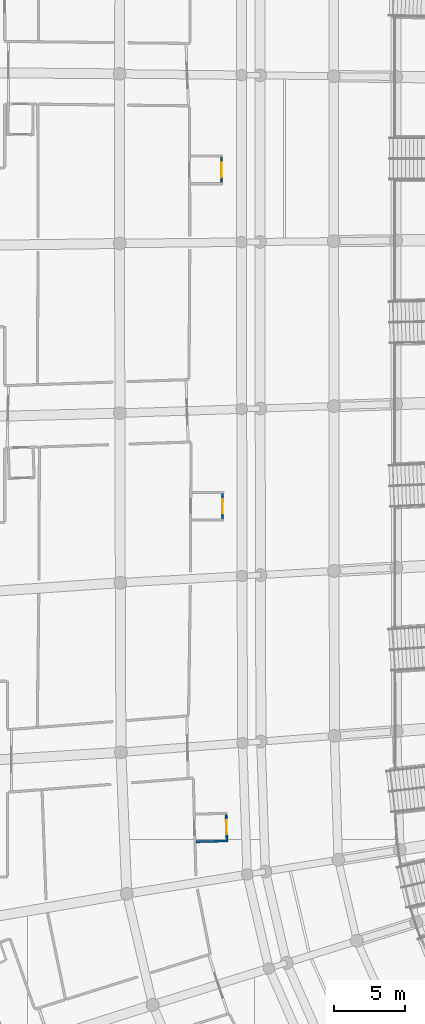
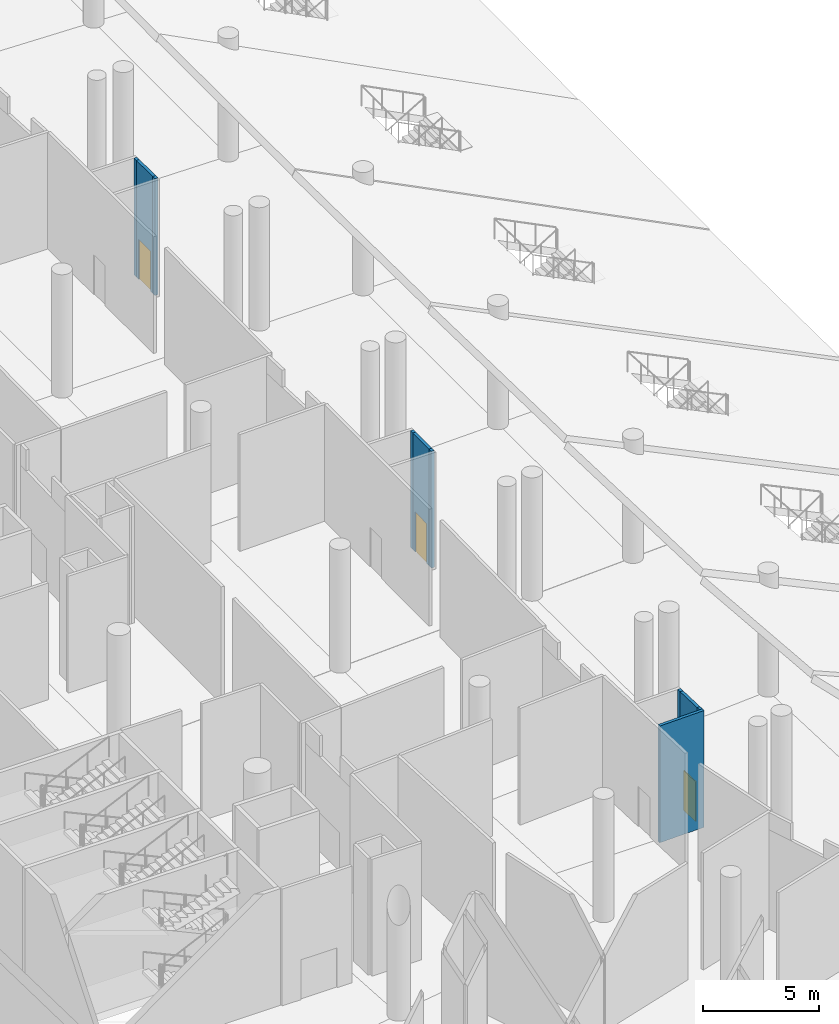
# One storey, part 116 of 255: 10 walls, 3 doors, 3 openings.
"""IFC4 building model written with IfcOpenShell, lengths in metres."""

from ifc_helpers import new_model, si_unit, direction, frame, frame_2d, origin, place, context, subcontext, project, spatial, rectangle, extrude, material, layer, layer_set, type_object, element, fill, save


model = new_model("IFC4")

# Units and contexts
model_context = context("Model", 3, precision=1e-05, world=origin(), true_north=direction((0.0, 1.0)))
body_context = subcontext(model_context, "Body", "Model", "MODEL_VIEW")
ifc_project = project(units=[si_unit("LENGTHUNIT", "METRE"), si_unit("AREAUNIT", "SQUARE_METRE"), si_unit("VOLUMEUNIT", "CUBIC_METRE"), si_unit("PLANEANGLEUNIT", "RADIAN"), si_unit("MASSUNIT", "GRAM", prefix="KILO")], contexts=[model_context])

# Site, building, storey
site_placement = place(None, origin())
site = spatial("IfcSite", under=ifc_project, at=site_placement, CompositionType="ELEMENT")
building_placement = place(site_placement, origin())
building = spatial("IfcBuilding", under=site, at=building_placement, Name="Meseta Stadium", CompositionType="ELEMENT")
storey_placement = place(building_placement, origin())
storey = spatial("IfcBuildingStorey", under=building, at=storey_placement, Name="L00", CompositionType="ELEMENT", Elevation=0.0)

# Wall
ifc_material_1 = material(Name="Masonry blockwork", Category="masonry")
ifc_layer = layer(ifc_material_1, 0.14990234375)
ifc_layer_set = layer_set([ifc_layer], Name="Partition 150")
wall_type = type_object("IfcWallType", Name="Partition 150", PredefinedType="PARTITIONING", material=ifc_layer_set)
wall_1_placement = place(storey_placement, frame((-66.3134765625, 0.10791015625, 0.0), z_axis=(0.0, 0.0, 1.0), x_axis=(0.002439017136, -0.999997025593, 0.0)))
element("IfcWall", 1, at=wall_1_placement, inside=storey, type_object=wall_type, Name="Partition L00 L00-cell16-1-0 vestibule", PredefinedType="PARTITIONING", context=body_context, shape_type="SweptSolid", body=[
    extrude(rectangle(XDim=0.2001953125, YDim=0.14990234375, at=frame_2d((0.10009765625, 0.0))), origin(), (0.0, 0.0, 1.0), 6.14990234375),
])

# Wall, opening, door
wall_2_placement = place(storey_placement, frame((-66.31298828125, -0.09228515625, 0.0), z_axis=(0.0, 0.0, 1.0), x_axis=(0.002441569283, -0.999997019365, 0.0)))
wall_2 = element("IfcWall", 2, at=wall_2_placement, inside=storey, type_object=wall_type, Name="Partition L00 L00-cell16-1-0 vestibule", PredefinedType="PARTITIONING", context=body_context, shape_type="SweptSolid", body=[
    extrude(rectangle(XDim=1.39990234375, YDim=0.14990234375, at=frame_2d((0.699951171875, 0.0))), origin(), (0.0, 0.0, 1.0), 6.14990234375),
])
opening_1_placement = place(wall_2_placement, frame((0.199951171875, 0.0, 0.0)))
opening_1 = element("IfcOpeningElement", 3, at=opening_1_placement, cuts=wall_2, Name="Opening D847", PredefinedType="OPENING", context=body_context, shape_type="SweptSolid", body=[
    extrude(rectangle(XDim=1.0, YDim=2.10009765625, at=frame_2d((0.5, 1.050048828125))), frame((0.0, 0.0849609375, 0.0), z_axis=(0.0, -1.0, 0.0), x_axis=(1.0, 0.0, 0.0)), (0.0, 0.0, 1.0), 0.169921875),
])
ifc_material_2 = material(Name="Steel", Category="steel")
door_type = type_object("IfcDoorType", Name="Fire door 1000x2100 EI2 60", OperationType="NOTDEFINED", PredefinedType="DOOR", material=ifc_material_2)
door_1_placement = place(opening_1_placement, origin())
door_1 = element("IfcDoor", 4, at=door_1_placement, inside=storey, type_object=door_type, Name="Vestibule door L00 L00-cell16-1-0", OperationType="SINGLE_SWING_RIGHT", OverallHeight=2.10009765625, OverallWidth=1.0, PredefinedType="DOOR", context=body_context, shape_type="SweptSolid", body=[
    extrude(rectangle(XDim=1.0, YDim=2.10009765625, at=frame_2d((0.5, 1.050048828125))), frame((0.0, 0.02490234375, 0.0), z_axis=(0.0, -1.0, 0.0), x_axis=(1.0, 0.0, 0.0)), (0.0, 0.0, 1.0), 0.050048828125),
])
fill(opening_1, door_1)

# Walls
for number, where, z_axis, x_axis, name in (
    (5, (-66.3095703125, -1.4921875, 0.0), (0.0, 0.0, 1.0), (0.002441995161, -0.999997018325, 0.0), "Partition L00 L00-cell16-1-0 vestibule"),
    (6, (-66.22998046875, -23.615234375, 0.0), (0.0, 0.0, 1.0), (-0.004883946635, -0.999988073462, 0.0), "Partition L00 L00-cell17-1-0 vestibule"),
):
    element("IfcWall", number, at=place(storey_placement, frame(where, z_axis=z_axis, x_axis=x_axis)), inside=storey, type_object=wall_type, Name=name, PredefinedType="PARTITIONING", context=body_context, shape_type="SweptSolid", body=[
        extrude(rectangle(XDim=0.199951171875, YDim=0.14990234375, at=frame_2d((0.10009765625, 0.0))), origin(), (0.0, 0.0, 1.0), 6.14990234375),
    ])

# Wall, opening, door
wall_3_placement = place(storey_placement, frame((-66.23095703125, -23.815185546875, 0.0), z_axis=(0.0, 0.0, 1.0), x_axis=(-0.004707881566, -0.999988917864, 0.0)))
wall_3 = element("IfcWall", 7, at=wall_3_placement, inside=storey, type_object=wall_type, Name="Partition L00 L00-cell17-1-0 vestibule", PredefinedType="PARTITIONING", context=body_context, shape_type="SweptSolid", body=[
    extrude(rectangle(XDim=1.400146484375, YDim=0.14990234375, at=frame_2d((0.7001953125, 0.0))), origin(), (0.0, 0.0, 1.0), 6.14990234375),
])
opening_2_placement = place(wall_3_placement, frame((0.199951171875, 0.0, 0.0)))
opening_2 = element("IfcOpeningElement", 8, at=opening_2_placement, cuts=wall_3, Name="Opening D850", PredefinedType="OPENING", context=body_context, shape_type="SweptSolid", body=[
    extrude(rectangle(XDim=1.0, YDim=2.10009765625, at=frame_2d((0.5, 1.050048828125))), frame((0.0, 0.0849609375, 0.0), z_axis=(0.0, -1.0, 0.0), x_axis=(1.0, 0.0, 0.0)), (0.0, 0.0, 1.0), 0.169921875),
])
door_2_placement = place(opening_2_placement, origin())
door_2 = element("IfcDoor", 9, at=door_2_placement, inside=storey, type_object=door_type, Name="Vestibule door L00 L00-cell17-1-0", OperationType="SINGLE_SWING_LEFT", OverallHeight=2.10009765625, OverallWidth=1.0, PredefinedType="DOOR", context=body_context, shape_type="SweptSolid", body=[
    extrude(rectangle(XDim=1.0, YDim=2.10009765625, at=frame_2d((0.5, 1.050048828125))), frame((0.0, 0.02490234375, 0.0), z_axis=(0.0, -1.0, 0.0), x_axis=(1.0, 0.0, 0.0)), (0.0, 0.0, 1.0), 0.050048828125),
])
fill(opening_2, door_2)

# Walls
wall_4_placement = place(storey_placement, frame((-66.237548828125, -25.21533203125, 0.0), z_axis=(0.0, 0.0, 1.0), x_axis=(-0.004883946635, -0.999988073462, 0.0)))
element("IfcWall", 10, at=wall_4_placement, inside=storey, type_object=wall_type, Name="Partition L00 L00-cell17-1-0 vestibule", PredefinedType="PARTITIONING", context=body_context, shape_type="SweptSolid", body=[
    extrude(rectangle(XDim=0.199951171875, YDim=0.14990234375, at=frame_2d((0.10009765625, 0.0))), origin(), (0.0, 0.0, 1.0), 6.14990234375),
])
wall_5_placement = place(storey_placement, frame((-68.108154296875, -48.173583984375, 0.0), z_axis=(0.0, 0.0, 1.0), x_axis=(0.999634969873, 0.027017161348, 0.0)))
element("IfcWall", 11, at=wall_5_placement, inside=storey, type_object=wall_type, Name="Partition L00 L00-cell18-1-0 vestibule", PredefinedType="PARTITIONING", context=body_context, shape_type="SweptSolid", body=[
    extrude(rectangle(XDim=2.25, YDim=0.14990234375, at=frame_2d((1.125, 0.0))), origin(), (0.0, 0.0, 1.0), 6.14990234375),
])
wall_6_placement = place(storey_placement, frame((-65.984619140625, -46.240478515625, 0.0), z_axis=(0.0, 0.0, 1.0), x_axis=(0.026852340708, -0.999639410887, 0.0)))
element("IfcWall", 12, at=wall_6_placement, inside=storey, type_object=wall_type, Name="Partition L00 L00-cell18-1-0 vestibule", PredefinedType="PARTITIONING", context=body_context, shape_type="SweptSolid", body=[
    extrude(rectangle(XDim=0.199951171875, YDim=0.14990234375, at=frame_2d((0.10009765625, 0.0))), origin(), (0.0, 0.0, 1.0), 6.14990234375),
])

# Wall, opening, door
wall_7_placement = place(storey_placement, frame((-65.979248046875, -46.4404296875, 0.0), z_axis=(0.0, 0.0, 1.0), x_axis=(0.027026579604, -0.999634715281, 0.0)))
wall_7 = element("IfcWall", 13, at=wall_7_placement, inside=storey, type_object=wall_type, Name="Partition L00 L00-cell18-1-0 vestibule", PredefinedType="PARTITIONING", context=body_context, shape_type="SweptSolid", body=[
    extrude(rectangle(XDim=1.400146484375, YDim=0.14990234375, at=frame_2d((0.7001953125, 0.0))), origin(), (0.0, 0.0, 1.0), 6.14990234375),
])
opening_3_placement = place(wall_7_placement, frame((0.199951171875, 0.0, 0.0)))
opening_3 = element("IfcOpeningElement", 14, at=opening_3_placement, cuts=wall_7, Name="Opening D854", PredefinedType="OPENING", context=body_context, shape_type="SweptSolid", body=[
    extrude(rectangle(XDim=1.0, YDim=2.10009765625, at=frame_2d((0.5, 1.050048828125))), frame((0.0, 0.0849609375, 0.0), z_axis=(0.0, -1.0, 0.0), x_axis=(1.0, 0.0, 0.0)), (0.0, 0.0, 1.0), 0.169921875),
])
door_3_placement = place(opening_3_placement, origin())
door_3 = element("IfcDoor", 15, at=door_3_placement, inside=storey, type_object=door_type, Name="Vestibule door L00 L00-cell18-1-0", OperationType="SINGLE_SWING_LEFT", OverallHeight=2.10009765625, OverallWidth=1.0, PredefinedType="DOOR", context=body_context, shape_type="SweptSolid", body=[
    extrude(rectangle(XDim=1.0, YDim=2.10009765625, at=frame_2d((0.5, 1.050048828125))), frame((0.0, 0.02490234375, 0.0), z_axis=(0.0, -1.0, 0.0), x_axis=(1.0, 0.0, 0.0)), (0.0, 0.0, 1.0), 0.050048828125),
])
fill(opening_3, door_3)

# Wall
wall_8_placement = place(storey_placement, frame((-65.94140625, -47.840087890625, 0.0), z_axis=(0.0, 0.0, 1.0), x_axis=(0.026852340708, -0.999639410887, 0.0)))
element("IfcWall", 16, at=wall_8_placement, inside=storey, type_object=wall_type, Name="Partition L00 L00-cell18-1-0 vestibule", PredefinedType="PARTITIONING", context=body_context, shape_type="SweptSolid", body=[
    extrude(rectangle(XDim=0.199951171875, YDim=0.14990234375, at=frame_2d((0.10009765625, 0.0))), origin(), (0.0, 0.0, 1.0), 6.14990234375),
])

save(model, "model.ifc")
